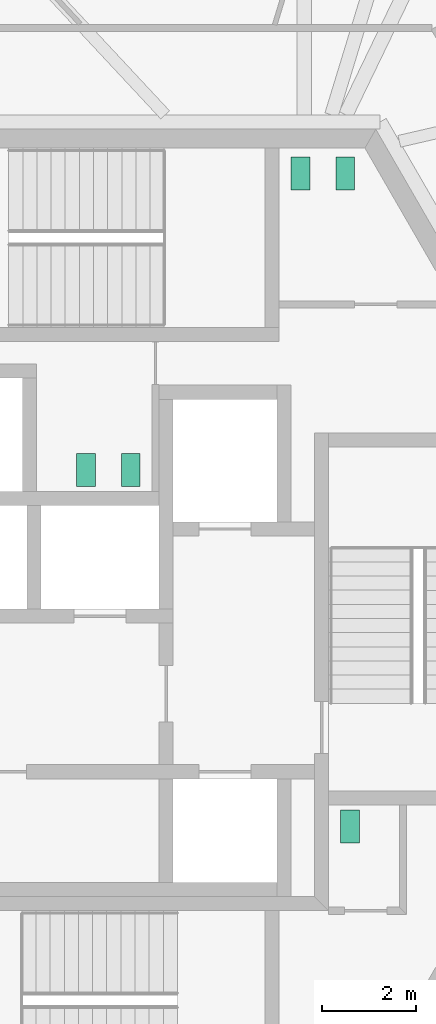
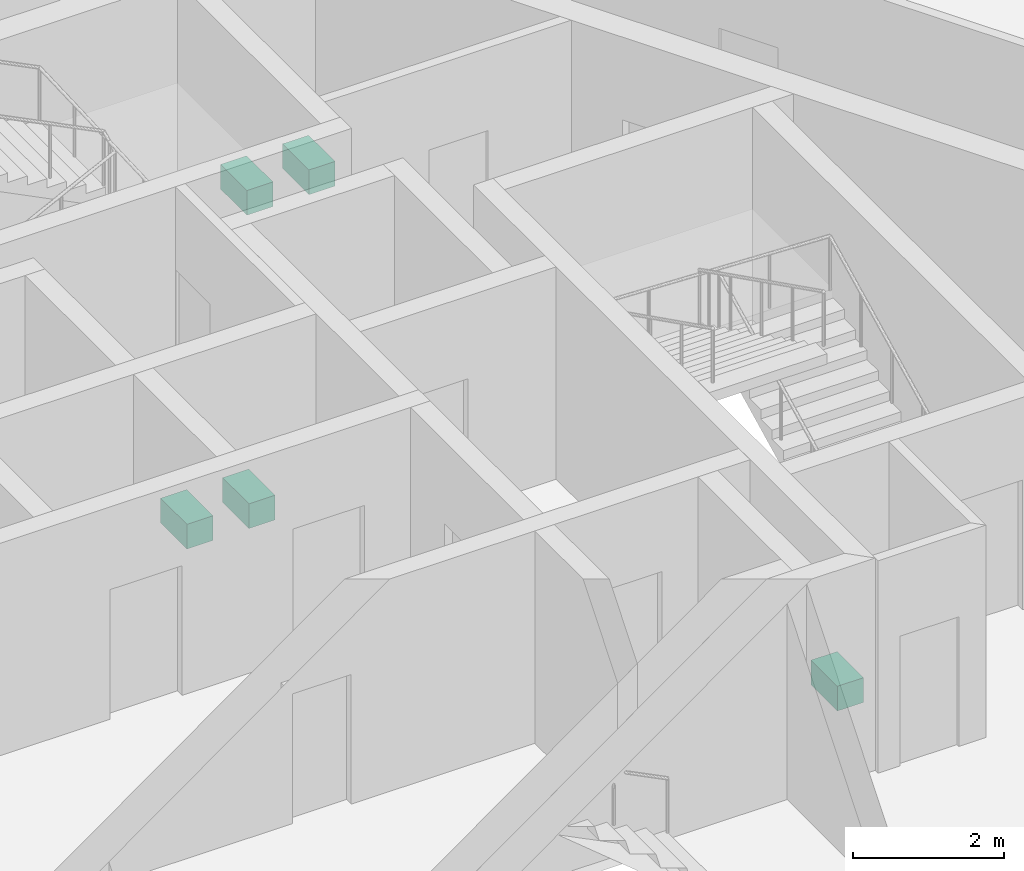
# One storey, part 25 of 25: 5 sanitary terminals.
"""IFC4 building model written with IfcOpenShell, lengths in metres."""

import ifcopenshell
import ifcopenshell.guid

model = None  # the IFC model being written
_history = None  # IfcOwnerHistory: only IFC2X3 demands one
_inside = {}  # id of a spatial element -> (the spatial element, [elements in it])
_under = {}  # id of a project, library or spatial element -> (it, [spatial elements below it])
_declared = {}  # id of a project -> (the project, [libraries it declares])
_typed = {}  # id of a type object -> (the type object, [elements of that type])
_made_of = {}  # id of a material, layer set ... -> (it, [elements and type objects made of it])


def new_model(schema):
    """Start an empty IFC model of exactly this schema.

    Asked for "IFC4X3", IfcOpenShell would pick the latest addendum, in which some entities
    have other attributes; the version numbers below select the first issue.
    IFC2X3 requires an IfcOwnerHistory on every rooted entity: one is made here for all.
    """
    global model, _history
    if schema == "IFC4X3":
        model = ifcopenshell.file(schema_version=(4, 3, 0, 0))
    else:
        model = ifcopenshell.file(schema=schema)
    _inside.clear()
    _under.clear()
    _declared.clear()
    _typed.clear()
    _made_of.clear()
    _history = None
    if model.schema == "IFC2X3":
        org = make("IfcOrganization", Name="unknown")
        user = make(
            "IfcPersonAndOrganization",
            ThePerson=make("IfcPerson", FamilyName="unknown"),
            TheOrganization=org,
        )
        app = make(
            "IfcApplication",
            ApplicationDeveloper=org,
            Version="unknown",
            ApplicationFullName="unknown",
            ApplicationIdentifier="unknown",
        )
        _history = make(
            "IfcOwnerHistory",
            OwningUser=user,
            OwningApplication=app,
            ChangeAction="ADDED",
            CreationDate=0,
        )
    return model


def make(cls, **values):
    """One entity of the class cls with the attributes given. An attribute that is None is left unset."""
    return model.create_entity(
        cls, **{name: value for name, value in values.items() if value is not None}
    )


def rooted(cls, **values):
    """An entity with a GlobalId (a new one), such as an element, a storey or a relation."""
    return make(cls, GlobalId=ifcopenshell.guid.new(), OwnerHistory=_history, **values)


def si_unit(unit_type, name, prefix=None):
    """IfcSIUnit, for example si_unit("LENGTHUNIT", "METRE", prefix="MILLI")."""
    return make("IfcSIUnit", UnitType=unit_type, Prefix=prefix, Name=name)


def assignment(units):
    """IfcUnitAssignment: the units of a project."""
    return None if units is None else make("IfcUnitAssignment", Units=units)


def point(xyz):
    """IfcCartesianPoint."""
    return None if xyz is None else make("IfcCartesianPoint", Coordinates=xyz)


def direction(xyz):
    """IfcDirection."""
    return None if xyz is None else make("IfcDirection", DirectionRatios=xyz)


def frame(location, z_axis=None, x_axis=None):
    """IfcAxis2Placement3D, a coordinate frame: its origin and axes. An axis left out is left unset."""
    return make(
        "IfcAxis2Placement3D",
        Location=point(location),
        Axis=direction(z_axis),
        RefDirection=direction(x_axis),
    )


def frame_2d(location, x_axis=None):
    """IfcAxis2Placement2D, a coordinate frame in the plane: its origin and x axis."""
    return make(
        "IfcAxis2Placement2D", Location=point(location), RefDirection=direction(x_axis)
    )


def origin():
    """The frame at (0, 0, 0) with its axes left unset."""
    return frame((0.0, 0.0, 0.0))


def origin_2d():
    """The frame at (0, 0) in the plane with its x axis left unset."""
    return frame_2d((0.0, 0.0))


def place(relative_to, where):
    """IfcLocalPlacement: puts the frame where relative to a parent placement (None: the world)."""
    return make(
        "IfcLocalPlacement", PlacementRelTo=relative_to, RelativePlacement=where
    )


def context(
    kind, dimensions, precision=None, world=None, true_north=None, identifier=None
):
    """IfcGeometricRepresentationContext, for example the 3D "Model" context."""
    return make(
        "IfcGeometricRepresentationContext",
        ContextIdentifier=identifier,
        ContextType=kind,
        CoordinateSpaceDimension=dimensions,
        Precision=precision,
        WorldCoordinateSystem=world,
        TrueNorth=true_north,
    )


def subcontext(parent, identifier, kind, view, scale=None):
    """IfcGeometricRepresentationSubContext, for example "Body" below "Model"."""
    return make(
        "IfcGeometricRepresentationSubContext",
        ContextIdentifier=identifier,
        ContextType=kind,
        ParentContext=parent,
        TargetScale=scale,
        TargetView=view,
    )


def project(units=None, contexts=None):
    """IfcProject with its units and contexts."""
    return rooted(
        "IfcProject",
        Name="project",
        RepresentationContexts=contexts,
        UnitsInContext=assignment(units),
    )


def spatial(cls, under=None, at=None, **own):
    """A site, building, storey or space (cls), placed at a placement, below another one or the project."""
    s = rooted(cls, ObjectPlacement=at, **own)
    if under is not None:
        _under.setdefault(under.id(), (under, []))[1].append(s)
    return s


def profile(cls, at=None, kind="AREA", **sizes):
    """A parametric profile (cls). Its sizes go by their IFC names, for example OverallWidth=200.0."""
    return make(cls, ProfileType=kind, Position=at, **sizes)


def rectangle(**sizes):
    """IfcRectangleProfileDef."""
    return profile("IfcRectangleProfileDef", **sizes)


def extrude(swept, where, along, depth):
    """IfcExtrudedAreaSolid: the profile swept, set in the frame where, extruded along a direction by depth."""
    return make(
        "IfcExtrudedAreaSolid",
        SweptArea=swept,
        Position=where,
        ExtrudedDirection=direction(along),
        Depth=depth,
    )


def shape(context_of_items, identifier, shape_type, items):
    """IfcShapeRepresentation: the items that make up one representation, for example the "Body"."""
    return make(
        "IfcShapeRepresentation",
        ContextOfItems=context_of_items,
        RepresentationIdentifier=identifier,
        RepresentationType=shape_type,
        Items=items,
    )


def source(mapping_origin, context_of_items, identifier, shape_type, items):
    """IfcRepresentationMap: a shape defined once, which mapped items show again and again."""
    return make(
        "IfcRepresentationMap",
        MappingOrigin=mapping_origin,
        MappedRepresentation=shape(context_of_items, identifier, shape_type, items),
    )


def transform(
    local_origin,
    x_axis=None,
    y_axis=None,
    z_axis=None,
    scale=None,
    scale2=None,
    scale3=None,
    uniform=True,
):
    """IfcCartesianTransformationOperator3D, or its non-uniform kind. x_axis, y_axis, z_axis: its Axis1, 2, 3."""
    if uniform:
        return make(
            "IfcCartesianTransformationOperator3D",
            Axis1=direction(x_axis),
            Axis2=direction(y_axis),
            LocalOrigin=point(local_origin),
            Scale=scale,
            Axis3=direction(z_axis),
        )
    return make(
        "IfcCartesianTransformationOperator3DnonUniform",
        Axis1=direction(x_axis),
        Axis2=direction(y_axis),
        LocalOrigin=point(local_origin),
        Scale=scale,
        Axis3=direction(z_axis),
        Scale2=scale2,
        Scale3=scale3,
    )


def mapped(mapping_source, mapping_target):
    """IfcMappedItem: shows the shape of a source again, moved by a transform."""
    return make(
        "IfcMappedItem", MappingSource=mapping_source, MappingTarget=mapping_target
    )


def material(Name=None, Category=None):
    """IfcMaterial."""
    return make("IfcMaterial", Name=Name, Category=Category)


def made_of(thing, what):
    """Note that an element or type object is made of a material, layer set ...; save() writes the relation."""
    if what is not None:
        _made_of.setdefault(what.id(), (what, []))[1].append(thing)
    return thing


def element(
    cls,
    number,
    at=None,
    inside=None,
    cuts=None,
    type_object=None,
    material=None,
    context=None,
    identifier="Body",
    shape_type=None,
    held_by="IfcProductDefinitionShape",
    body=None,
    shapes=None,
    **own,
):
    """One element of the class cls, such as IfcWall. Its Tag is "e" and its number.

    at: its placement. inside: the storey or other place that contains it. cuts: it is an
    opening in that element (IfcRelVoidsElement). A single representation is given by context,
    identifier, shape_type and body (its items); several are given by shapes. held_by: the class
    of the entity that holds the representations. save() writes the other relations.
    """
    e = rooted(cls, Tag="e%d" % number, ObjectPlacement=at, **own)
    if body is not None:
        shapes = [shape(context, identifier, shape_type, body)]
    if shapes is not None:
        e.Representation = make(held_by, Representations=shapes)
    if inside is not None:
        _inside.setdefault(inside.id(), (inside, []))[1].append(e)
    if cuts is not None:
        rooted(
            "IfcRelVoidsElement", RelatingBuildingElement=cuts, RelatedOpeningElement=e
        )
    if type_object is not None:
        _typed.setdefault(type_object.id(), (type_object, []))[1].append(e)
    return made_of(e, material)


def aggregate(whole, parts):
    """IfcRelAggregates: a whole, such as a stair, and the parts it consists of."""
    return rooted("IfcRelAggregates", RelatingObject=whole, RelatedObjects=parts)


def save(model, path):
    """Write the relations noted so far, then the file.

    IfcRelAggregates (storeys below a building ...), IfcRelContainedInSpatialStructure (elements
    in a storey), IfcRelDefinesByType, IfcRelAssociatesMaterial and IfcRelDeclares: one each for
    every whole, place, type object, material and project.
    """
    for whole, parts in _under.values():
        aggregate(whole, parts)
    for where, things in _inside.values():
        rooted(
            "IfcRelContainedInSpatialStructure",
            RelatedElements=things,
            RelatingStructure=where,
        )
    for kind, things in _typed.values():
        rooted("IfcRelDefinesByType", RelatedObjects=things, RelatingType=kind)
    for what, things in _made_of.values():
        rooted("IfcRelAssociatesMaterial", RelatedObjects=things, RelatingMaterial=what)
    for by, libraries in _declared.values():
        rooted("IfcRelDeclares", RelatingContext=by, RelatedDefinitions=libraries)
    model.write(path)


model = new_model("IFC4")

# Units and contexts
model_context = context("Model", 3, precision=1e-05, world=origin(), true_north=direction((0.0, 1.0)))
body_context = subcontext(model_context, "Body", "Model", "MODEL_VIEW")
ifc_project = project(units=[si_unit("LENGTHUNIT", "METRE"), si_unit("AREAUNIT", "SQUARE_METRE"), si_unit("VOLUMEUNIT", "CUBIC_METRE"), si_unit("PLANEANGLEUNIT", "RADIAN"), si_unit("MASSUNIT", "GRAM", prefix="KILO")], contexts=[model_context])

# Site, building, storey
site_placement = place(None, origin())
site = spatial("IfcSite", under=ifc_project, at=site_placement, CompositionType="ELEMENT")
building_placement = place(site_placement, origin())
building = spatial("IfcBuilding", under=site, at=building_placement, Name="Triune Harvest Tower", CompositionType="ELEMENT")
storey_placement = place(building_placement, frame((0.0, 0.0, 98.300048828125)))
storey = spatial("IfcBuildingStorey", under=building, at=storey_placement, Name="L24", CompositionType="ELEMENT", Elevation=98.300048828125)

# Sanitary terminals
ifc_material = material(Name="Vitreous china")
shared_shape = source(origin(), body_context, "Body", "SweptSolid", [
    extrude(rectangle(XDim=0.39990234375, YDim=0.699951171875, at=origin_2d()), origin(), (0.0, 0.0, 1.0), 0.39990234375),
])
for number, where, z_axis, x_axis, name in (
    (1, (4.39990234375, 9.449951171875, 0.0), (0.0, 0.0, 1.0), (1.0, 0.0, 0.0), "Toilet pan L24.c01"),
    (2, (5.35009765625, 9.449951171875, 0.0), (0.0, 0.0, 1.0), (1.0, 0.0, 0.0), "Toilet pan L24.c02"),
    (3, (0.800048828125, 3.159912109375, 0.0), (0.0, 0.0, 1.0), (-1.0, 0.0, 0.0), "Toilet pan L24.c03"),
    (4, (-0.14990234375, 3.159912109375, 0.0), (0.0, 0.0, 1.0), (-1.0, 0.0, 0.0), "Toilet pan L24.c04"),
    (5, (5.449951171875, -4.39990234375, 0.0), (0.0, 0.0, 1.0), (1.0, 0.0, 0.0), "Toilet pan L24.c05"),
):
    element("IfcSanitaryTerminal", number, at=place(storey_placement, frame(where, z_axis=z_axis, x_axis=x_axis)), inside=storey, material=ifc_material, Name=name, PredefinedType="TOILETPAN", context=body_context, shape_type="MappedRepresentation", body=[
        mapped(shared_shape, transform((0.0, 0.0, 0.0), scale=1.0)),
    ])

save(model, "model.ifc")
